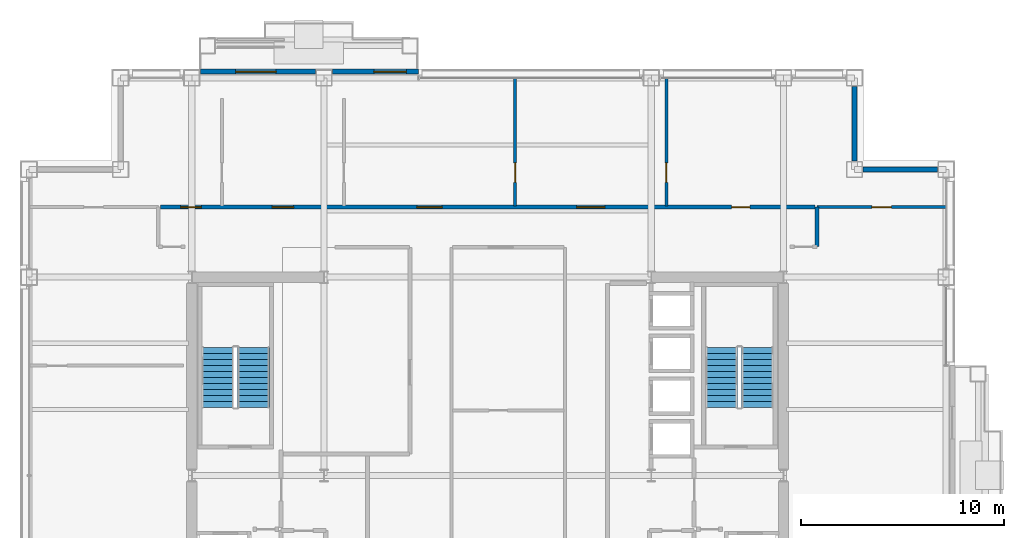
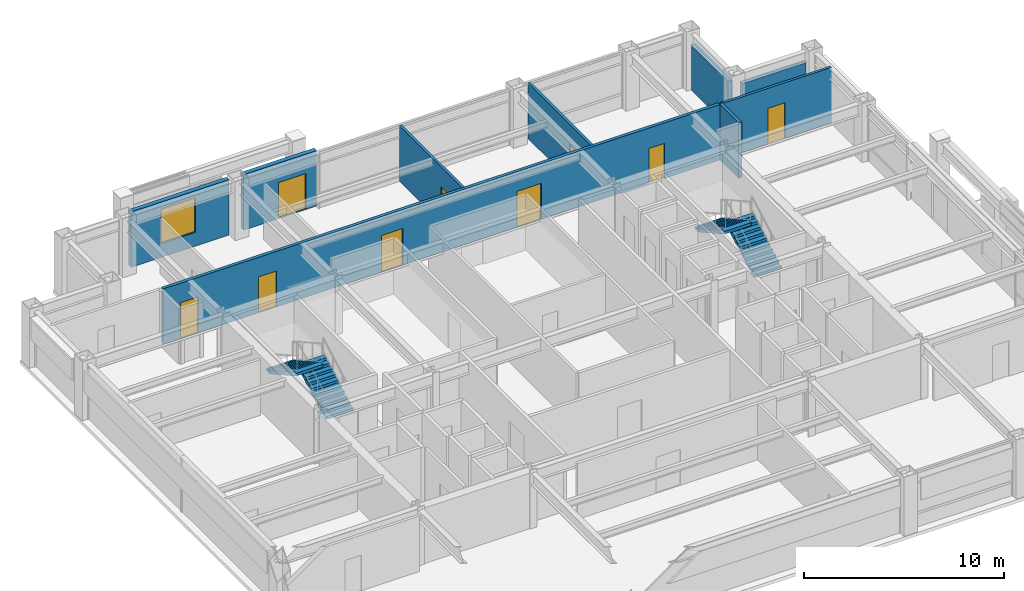
# One storey, part 27 of 29: 9 doors, 9 walls, 4 stair flights, 1 window, 10 openings, 2 elements without a shape of their own.
"""IFC4 building model written with IfcOpenShell, lengths in metres."""

from ifc_helpers import new_model, si_unit, direction, frame, frame_2d, origin, place, context, subcontext, project, spatial, polyline, rectangle, outline, extrude, material, layer, layer_set, type_object, element, fill, aggregate, save


model = new_model("IFC4")

# Units and contexts
model_context = context("Model", 3, precision=1e-05, world=origin(), true_north=direction((0.0, 1.0)))
body_context = subcontext(model_context, "Body", "Model", "MODEL_VIEW")
ifc_project = project(units=[si_unit("LENGTHUNIT", "METRE"), si_unit("AREAUNIT", "SQUARE_METRE"), si_unit("VOLUMEUNIT", "CUBIC_METRE"), si_unit("PLANEANGLEUNIT", "RADIAN"), si_unit("MASSUNIT", "GRAM", prefix="KILO")], contexts=[model_context])

# Site, building, storey
site_placement = place(None, origin())
site = spatial("IfcSite", under=ifc_project, at=site_placement, CompositionType="ELEMENT")
building_placement = place(site_placement, origin())
building = spatial("IfcBuilding", under=site, at=building_placement, Name="Brelmoor Portico Tower", CompositionType="ELEMENT")
storey_placement = place(building_placement, frame((0.0, 0.0, 138.60009765625)))
storey = spatial("IfcBuildingStorey", under=building, at=storey_placement, Name="L36", CompositionType="ELEMENT", Elevation=138.60009765625)

# Wall, opening, window
ifc_material_1 = material(Name="Precast Concrete C40 Insulated Facade Wall", Category="concrete")
ifc_layer_1 = layer(ifc_material_1, 0.25)
ifc_layer_set_1 = layer_set([ifc_layer_1], Name="Precast Concrete C40 Insulated Facade Wall")
wall_type_1 = type_object("IfcWallType", Name="WL-EXT-250", PredefinedType="STANDARD", material=ifc_layer_set_1)
wall_1_placement = place(storey_placement, frame((-14.1298828125, 19.860107421875, 0.0), z_axis=(0.0, 0.0, 1.0), x_axis=(1.0, 0.0, 0.0)))
wall_1 = element("IfcWall", 1, at=wall_1_placement, inside=storey, type_object=wall_type_1, Name="L36 Loggia Threshold Wall N-1", PredefinedType="STANDARD", context=body_context, shape_type="SweptSolid", body=[
    extrude(rectangle(XDim=5.659912109375, YDim=0.25, at=frame_2d((2.830078125, 0.0))), origin(), (0.0, 0.0, 1.0), 3.39990234375),
])
opening_1_placement = place(wall_1_placement, frame((1.72998046875, 0.0, 0.85009765625)))
opening_1 = element("IfcOpeningElement", 2, at=opening_1_placement, cuts=wall_1, Name="Opening W-03", PredefinedType="OPENING", context=body_context, shape_type="SweptSolid", body=[
    extrude(rectangle(XDim=2.0, YDim=2.10009765625, at=frame_2d((1.0, 1.050048828125))), frame((0.0, 0.135009765625, 0.0), z_axis=(0.0, -1.0, 0.0), x_axis=(1.0, 0.0, 0.0)), (0.0, 0.0, 1.0), 0.27001953125),
])
ifc_material_2 = material(Name="Thermally Broken Aluminium Low-E Window", Category="aluminium")
window_type = type_object("IfcWindowType", Name="WN-LOGGIA-2000x2100", PartitioningType="SINGLE_PANEL", PredefinedType="WINDOW", material=ifc_material_2)
window_placement = place(opening_1_placement, origin())
window = element("IfcWindow", 3, at=window_placement, inside=storey, type_object=window_type, Name="L36 Loggia Window N", OverallHeight=2.10009765625, OverallWidth=2.0, PartitioningType="SINGLE_PANEL", PredefinedType="WINDOW", context=body_context, shape_type="SweptSolid", body=[
    extrude(rectangle(XDim=2.0, YDim=2.10009765625, at=frame_2d((1.0, 1.050048828125))), frame((0.0, 0.030029296875, 0.0), z_axis=(0.0, -1.0, 0.0), x_axis=(1.0, 0.0, 0.0)), (0.0, 0.0, 1.0), 0.06005859375),
])
fill(opening_1, window)

# Wall, opening, door
wall_2_placement = place(storey_placement, frame((-7.6298828125, 19.860107421875, 0.0), z_axis=(0.0, 0.0, 1.0), x_axis=(1.0, 0.0, 0.0)))
wall_2 = element("IfcWall", 4, at=wall_2_placement, inside=storey, type_object=wall_type_1, Name="L36 Loggia Threshold Wall N-2", PredefinedType="STANDARD", context=body_context, shape_type="SweptSolid", body=[
    extrude(rectangle(XDim=4.22998046875, YDim=0.25, at=frame_2d((2.114990234375, 0.0))), origin(), (0.0, 0.0, 1.0), 3.39990234375),
])
opening_2_placement = place(wall_2_placement, frame((2.030029296875, 0.0, 0.0)))
opening_2 = element("IfcOpeningElement", 5, at=opening_2_placement, cuts=wall_2, Name="Opening D-TB1", PredefinedType="OPENING", context=body_context, shape_type="SweptSolid", body=[
    extrude(rectangle(XDim=1.60009765625, YDim=2.199951171875, at=frame_2d((0.800048828125, 1.10009765625))), frame((0.0, 0.135009765625, 0.0), z_axis=(0.0, -1.0, 0.0), x_axis=(1.0, 0.0, 0.0)), (0.0, 0.0, 1.0), 0.27001953125),
])
ifc_material_3 = material(Name="Double-Leaf Thermally Broken Terrace Door", Category="aluminium")
door_type_1 = type_object("IfcDoorType", Name="DR-BALCONY-1600", OperationType="NOTDEFINED", PredefinedType="DOOR", material=ifc_material_3)
door_1_placement = place(opening_2_placement, origin())
door_1 = element("IfcDoor", 6, at=door_1_placement, inside=storey, type_object=door_type_1, Name="D-1589 L36 Tree Balcony Double Door N", OperationType="DOUBLE_DOOR_SINGLE_SWING", OverallHeight=2.199951171875, OverallWidth=1.60009765625, PredefinedType="DOOR", context=body_context, shape_type="SweptSolid", body=[
    extrude(rectangle(XDim=1.60009765625, YDim=2.199951171875, at=frame_2d((0.800048828125, 1.10009765625))), frame((0.0, 0.02490234375, 0.0), z_axis=(0.0, -1.0, 0.0), x_axis=(1.0, 0.0, 0.0)), (0.0, 0.0, 1.0), 0.050048828125),
])
fill(opening_2, door_1)

# Walls
for number, where, z_axis, x_axis, name in (
    (7, (18.4599609375, 15.050048828125, 0.0), (0.0, 0.0, 1.0), (1.0, 0.0, 0.0), "L36 Corner Notch Facade Wall NNEH1"),
    (8, (18.050048828125, 15.4599609375, 0.0), (0.0, 0.0, 1.0), (0.0, 1.0, 0.0), "L36 Corner Notch Facade Wall NNEV1"),
):
    element("IfcWall", number, at=place(storey_placement, frame(where, z_axis=z_axis, x_axis=x_axis)), inside=storey, type_object=wall_type_1, Name=name, PredefinedType="STANDARD", context=body_context, shape_type="SweptSolid", body=[
        extrude(rectangle(XDim=3.679931640625, YDim=0.25, at=frame_2d((1.83984375, 0.0))), origin(), (0.0, 0.0, 1.0), 2.75),
    ])

# Wall, opening, door
ifc_material_4 = material(Name="Wet-Area Moisture-Resistant Partition", Category="gypsum")
ifc_layer_2 = layer(ifc_material_4, 0.14990234375)
ifc_layer_set_2 = layer_set([ifc_layer_2], Name="Wet-Area Moisture-Resistant Partition")
wall_type_2 = type_object("IfcWallType", Name="WL-PART-150", PredefinedType="PARTITIONING", material=ifc_layer_set_2)
wall_3_placement = place(storey_placement, frame((1.352783203125, 13.260009765625, 0.0), z_axis=(0.0, 0.0, 1.0), x_axis=(0.0, 1.0, 0.0)))
wall_3 = element("IfcWall", 9, at=wall_3_placement, inside=storey, type_object=wall_type_2, Name="L36 North Suite Partition 3", PredefinedType="PARTITIONING", context=body_context, shape_type="SweptSolid", body=[
    extrude(rectangle(XDim=6.300048828125, YDim=0.14990234375, at=frame_2d((3.14990234375, 0.0))), origin(), (0.0, 0.0, 1.0), 3.39990234375),
])
opening_3_placement = place(wall_3_placement, frame((1.14990234375, 0.0, 0.0)))
opening_3 = element("IfcOpeningElement", 10, at=opening_3_placement, cuts=wall_3, Name="Opening D-IN2", PredefinedType="OPENING", context=body_context, shape_type="SweptSolid", body=[
    extrude(rectangle(XDim=0.9599609375, YDim=2.179931640625, at=frame_2d((0.47998046875, 1.08984375))), frame((0.0, 0.0849609375, 0.0), z_axis=(0.0, -1.0, 0.0), x_axis=(1.0, 0.0, 0.0)), (0.0, 0.0, 1.0), 0.169921875),
])
ifc_material_5 = material(Name="Lacquered Timber Suite Door", Category="wood")
door_type_2 = type_object("IfcDoorType", Name="DR-INT-950", OperationType="NOTDEFINED", PredefinedType="DOOR", material=ifc_material_5)
door_2_placement = place(opening_3_placement, origin())
door_2 = element("IfcDoor", 11, at=door_2_placement, inside=storey, type_object=door_type_2, Name="D-1577 L36 North Suite Connecting Door 3", OperationType="SINGLE_SWING_RIGHT", OverallHeight=2.179931640625, OverallWidth=0.9599609375, PredefinedType="DOOR", context=body_context, shape_type="SweptSolid", body=[
    extrude(rectangle(XDim=0.9599609375, YDim=2.179931640625, at=frame_2d((0.47998046875, 1.08984375))), frame((0.0, 0.02490234375, 0.0), z_axis=(0.0, -1.0, 0.0), x_axis=(1.0, 0.0, 0.0)), (0.0, 0.0, 1.0), 0.050048828125),
])
fill(opening_3, door_2)

wall_4_placement = place(storey_placement, frame((8.793212890625, 13.260009765625, 0.0), z_axis=(0.0, 0.0, 1.0), x_axis=(0.0, 1.0, 0.0)))
wall_4 = element("IfcWall", 12, at=wall_4_placement, inside=storey, type_object=wall_type_2, Name="L36 North Suite Partition 4", PredefinedType="PARTITIONING", context=body_context, shape_type="SweptSolid", body=[
    extrude(rectangle(XDim=6.300048828125, YDim=0.14990234375, at=frame_2d((3.14990234375, 0.0))), origin(), (0.0, 0.0, 1.0), 3.39990234375),
])
opening_4_placement = place(wall_4_placement, frame((1.14990234375, 0.0, 0.0)))
opening_4 = element("IfcOpeningElement", 13, at=opening_4_placement, cuts=wall_4, Name="Opening D-IN2", PredefinedType="OPENING", context=body_context, shape_type="SweptSolid", body=[
    extrude(rectangle(XDim=0.9599609375, YDim=2.179931640625, at=frame_2d((0.47998046875, 1.08984375))), frame((0.0, 0.0849609375, 0.0), z_axis=(0.0, -1.0, 0.0), x_axis=(1.0, 0.0, 0.0)), (0.0, 0.0, 1.0), 0.169921875),
])
door_3_placement = place(opening_4_placement, origin())
door_3 = element("IfcDoor", 14, at=door_3_placement, inside=storey, type_object=door_type_2, Name="D-1578 L36 North Suite Connecting Door 4", OperationType="SINGLE_SWING_LEFT", OverallHeight=2.179931640625, OverallWidth=0.9599609375, PredefinedType="DOOR", context=body_context, shape_type="SweptSolid", body=[
    extrude(rectangle(XDim=0.9599609375, YDim=2.179931640625, at=frame_2d((0.47998046875, 1.08984375))), frame((0.0, 0.02490234375, 0.0), z_axis=(0.0, -1.0, 0.0), x_axis=(1.0, 0.0, 0.0)), (0.0, 0.0, 1.0), 0.050048828125),
])
fill(opening_4, door_3)

wall_5_placement = place(storey_placement, frame((16.199951171875, 13.199951171875, 0.0), z_axis=(0.0, 0.0, 1.0), x_axis=(1.0, 0.0, 0.0)))
wall_5 = element("IfcWall", 15, at=wall_5_placement, inside=storey, type_object=wall_type_2, Name="L36 North Wing Closure ER", PredefinedType="PARTITIONING", context=body_context, shape_type="SweptSolid", body=[
    extrude(rectangle(XDim=6.360107421875, YDim=0.14990234375, at=frame_2d((3.18017578125, 0.0))), origin(), (0.0, 0.0, 1.0), 3.39990234375),
])
opening_5_placement = place(wall_5_placement, frame((2.699951171875, 0.0, 0.0)))
opening_5 = element("IfcOpeningElement", 16, at=opening_5_placement, cuts=wall_5, Name="Opening D-IN2", PredefinedType="OPENING", context=body_context, shape_type="SweptSolid", body=[
    extrude(rectangle(XDim=0.9599609375, YDim=2.179931640625, at=frame_2d((0.47998046875, 1.08984375))), frame((0.0, 0.0849609375, 0.0), z_axis=(0.0, -1.0, 0.0), x_axis=(1.0, 0.0, 0.0)), (0.0, 0.0, 1.0), 0.169921875),
])
door_4_placement = place(opening_5_placement, origin())
door_4 = element("IfcDoor", 17, at=door_4_placement, inside=storey, type_object=door_type_2, Name="D-1579 L36 ER Wing North Suite Door", OperationType="SINGLE_SWING_LEFT", OverallHeight=2.179931640625, OverallWidth=0.9599609375, PredefinedType="DOOR", context=body_context, shape_type="SweptSolid", body=[
    extrude(rectangle(XDim=0.9599609375, YDim=2.179931640625, at=frame_2d((0.47998046875, 1.08984375))), frame((0.0, 0.02490234375, 0.0), z_axis=(0.0, -1.0, 0.0), x_axis=(1.0, 0.0, 0.0)), (0.0, 0.0, 1.0), 0.050048828125),
])
fill(opening_5, door_4)

# Wall, openings, doors
ifc_material_6 = material(Name="Acoustic Corridor Fire Partition", Category="gypsum")
ifc_layer_3 = layer(ifc_material_6, 0.179931640625)
ifc_layer_set_3 = layer_set([ifc_layer_3], Name="Acoustic Corridor Fire Partition")
wall_type_3 = type_object("IfcWallType", Name="WL-PART-180", PredefinedType="PARTITIONING", material=ifc_layer_set_3)
wall_6_placement = place(storey_placement, frame((-16.10009765625, 13.199951171875, 0.0), z_axis=(0.0, 0.0, 1.0), x_axis=(1.0, 0.0, 0.0)))
wall_6 = element("IfcWall", 18, at=wall_6_placement, inside=storey, type_object=wall_type_3, Name="L36 North Corridor Partition", PredefinedType="PARTITIONING", context=body_context, shape_type="SweptSolid", body=[
    extrude(rectangle(XDim=32.2001953125, YDim=0.179931640625, at=frame_2d((16.10009765625, 0.0))), origin(), (0.0, 0.0, 1.0), 3.39990234375),
])
opening_6_placement = place(wall_6_placement, frame((1.0048828125, 0.0, 0.0)))
opening_6 = element("IfcOpeningElement", 19, at=opening_6_placement, cuts=wall_6, Name="Opening D-OF1", PredefinedType="OPENING", context=body_context, shape_type="SweptSolid", body=[
    extrude(rectangle(XDim=1.02001953125, YDim=2.199951171875, at=frame_2d((0.510009765625, 1.10009765625))), frame((0.0, 0.099853515625, 0.0), z_axis=(0.0, -1.0, 0.0), x_axis=(1.0, 0.0, 0.0)), (0.0, 0.0, 1.0), 0.199951171875),
])
opening_7_placement = place(wall_6_placement, frame((5.5, 0.0, 0.0)))
opening_7 = element("IfcOpeningElement", 20, at=opening_7_placement, cuts=wall_6, Name="Opening D-OF2", PredefinedType="OPENING", context=body_context, shape_type="SweptSolid", body=[
    extrude(rectangle(XDim=1.06005859375, YDim=2.199951171875, at=frame_2d((0.530029296875, 1.10009765625))), frame((0.0, 0.099853515625, 0.0), z_axis=(0.0, -1.0, 0.0), x_axis=(1.0, 0.0, 0.0)), (0.0, 0.0, 1.0), 0.199951171875),
])
opening_8_placement = place(wall_6_placement, frame((12.621337890625, 0.0, 0.0)))
opening_8 = element("IfcOpeningElement", 21, at=opening_8_placement, cuts=wall_6, Name="Opening D-SU1", PredefinedType="OPENING", context=body_context, shape_type="SweptSolid", body=[
    extrude(rectangle(XDim=1.239990234375, YDim=2.239990234375, at=frame_2d((0.6201171875, 1.1201171875))), frame((0.0, 0.099853515625, 0.0), z_axis=(0.0, -1.0, 0.0), x_axis=(1.0, 0.0, 0.0)), (0.0, 0.0, 1.0), 0.199951171875),
])
opening_9_placement = place(wall_6_placement, frame((20.472900390625, 0.0, 0.0)))
opening_9 = element("IfcOpeningElement", 22, at=opening_9_placement, cuts=wall_6, Name="Opening D-SU2", PredefinedType="OPENING", context=body_context, shape_type="SweptSolid", body=[
    extrude(rectangle(XDim=1.39990234375, YDim=2.199951171875, at=frame_2d((0.699951171875, 1.10009765625))), frame((0.0, 0.099853515625, 0.0), z_axis=(0.0, -1.0, 0.0), x_axis=(1.0, 0.0, 0.0)), (0.0, 0.0, 1.0), 0.199951171875),
])
opening_10_placement = place(wall_6_placement, frame((28.0966796875, 0.0, 0.0)))
opening_10 = element("IfcOpeningElement", 23, at=opening_10_placement, cuts=wall_6, Name="Opening D-IN1", PredefinedType="OPENING", context=body_context, shape_type="SweptSolid", body=[
    extrude(rectangle(XDim=0.89990234375, YDim=2.14990234375, at=frame_2d((0.449951171875, 1.074951171875))), frame((0.0, 0.099853515625, 0.0), z_axis=(0.0, -1.0, 0.0), x_axis=(1.0, 0.0, 0.0)), (0.0, 0.0, 1.0), 0.199951171875),
])
door_type_3 = type_object("IfcDoorType", Name="DR-INT-900", OperationType="NOTDEFINED", PredefinedType="DOOR", material=ifc_material_5)
door_5_placement = place(opening_10_placement, origin())
door_5 = element("IfcDoor", 24, at=door_5_placement, inside=storey, type_object=door_type_3, Name="D-1574 L36 North Project Mail Room 5 Door", OperationType="SINGLE_SWING_LEFT", OverallHeight=2.14990234375, OverallWidth=0.89990234375, PredefinedType="DOOR", context=body_context, shape_type="SweptSolid", body=[
    extrude(rectangle(XDim=0.89990234375, YDim=2.14990234375, at=frame_2d((0.449951171875, 1.074951171875))), frame((0.0, 0.02490234375, 0.0), z_axis=(0.0, -1.0, 0.0), x_axis=(1.0, 0.0, 0.0)), (0.0, 0.0, 1.0), 0.050048828125),
])
fill(opening_10, door_5)
ifc_material_7 = material(Name="Hardwood Acoustic Veneer Door", Category="wood")
door_type_4 = type_object("IfcDoorType", Name="DR-OFFICE-1000", OperationType="NOTDEFINED", PredefinedType="DOOR", material=ifc_material_7)
door_6_placement = place(opening_6_placement, origin())
door_6 = element("IfcDoor", 25, at=door_6_placement, inside=storey, type_object=door_type_4, Name="D-1570 L36 North Open-Plan Office 1 Door", OperationType="SINGLE_SWING_RIGHT", OverallHeight=2.199951171875, OverallWidth=1.02001953125, PredefinedType="DOOR", context=body_context, shape_type="SweptSolid", body=[
    extrude(rectangle(XDim=1.02001953125, YDim=2.199951171875, at=frame_2d((0.510009765625, 1.10009765625))), frame((0.0, 0.02490234375, 0.0), z_axis=(0.0, -1.0, 0.0), x_axis=(1.0, 0.0, 0.0)), (0.0, 0.0, 1.0), 0.050048828125),
])
fill(opening_6, door_6)
door_type_5 = type_object("IfcDoorType", Name="DR-OFFICE-1050", OperationType="NOTDEFINED", PredefinedType="DOOR", material=ifc_material_7)
door_7_placement = place(opening_7_placement, origin())
door_7 = element("IfcDoor", 26, at=door_7_placement, inside=storey, type_object=door_type_5, Name="D-1571 L36 North Partner Office 2 Door", OperationType="SINGLE_SWING_LEFT", OverallHeight=2.199951171875, OverallWidth=1.06005859375, PredefinedType="DOOR", context=body_context, shape_type="SweptSolid", body=[
    extrude(rectangle(XDim=1.06005859375, YDim=2.199951171875, at=frame_2d((0.530029296875, 1.10009765625))), frame((0.0, 0.02490234375, 0.0), z_axis=(0.0, -1.0, 0.0), x_axis=(1.0, 0.0, 0.0)), (0.0, 0.0, 1.0), 0.050048828125),
])
fill(opening_7, door_7)
ifc_material_8 = material(Name="Glazed Timber Executive Suite Door", Category="wood")
door_type_6 = type_object("IfcDoorType", Name="DR-SUITE-1200", OperationType="NOTDEFINED", PredefinedType="DOOR", material=ifc_material_8)
door_8_placement = place(opening_8_placement, origin())
door_8 = element("IfcDoor", 27, at=door_8_placement, inside=storey, type_object=door_type_6, Name="D-1572 L36 North Cellular Office 3 Door", OperationType="SINGLE_SWING_RIGHT", OverallHeight=2.239990234375, OverallWidth=1.239990234375, PredefinedType="DOOR", context=body_context, shape_type="SweptSolid", body=[
    extrude(rectangle(XDim=1.239990234375, YDim=2.239990234375, at=frame_2d((0.6201171875, 1.1201171875))), frame((0.0, 0.02490234375, 0.0), z_axis=(0.0, -1.0, 0.0), x_axis=(1.0, 0.0, 0.0)), (0.0, 0.0, 1.0), 0.050048828125),
])
fill(opening_8, door_8)
ifc_material_9 = material(Name="Double-Leaf Acoustic Suite Door", Category="timber")
door_type_7 = type_object("IfcDoorType", Name="DR-SUITE-1400", OperationType="NOTDEFINED", PredefinedType="DOOR", material=ifc_material_9)
door_9_placement = place(opening_9_placement, origin())
door_9 = element("IfcDoor", 28, at=door_9_placement, inside=storey, type_object=door_type_7, Name="D-1573 L36 North First-Aid Consultation 4 Door", OperationType="DOUBLE_DOOR_SINGLE_SWING", OverallHeight=2.199951171875, OverallWidth=1.39990234375, PredefinedType="DOOR", context=body_context, shape_type="SweptSolid", body=[
    extrude(rectangle(XDim=1.39990234375, YDim=2.199951171875, at=frame_2d((0.699951171875, 1.10009765625))), frame((0.0, 0.02490234375, 0.0), z_axis=(0.0, -1.0, 0.0), x_axis=(1.0, 0.0, 0.0)), (0.0, 0.0, 1.0), 0.050048828125),
])
fill(opening_9, door_9)

# Wall
wall_7_placement = place(storey_placement, frame((16.199951171875, 11.25, 0.0), z_axis=(0.0, 0.0, 1.0), x_axis=(0.0, 1.0, 0.0)))
element("IfcWall", 29, at=wall_7_placement, inside=storey, type_object=wall_type_3, Name="L36 E Corridor End Closure", PredefinedType="PARTITIONING", context=body_context, shape_type="SweptSolid", body=[
    extrude(rectangle(XDim=1.949951171875, YDim=0.179931640625, at=frame_2d((0.97509765625, 0.0))), origin(), (0.0, 0.0, 1.0), 3.39990234375),
])

# Stair, stair flights
ifc_material_10 = material(Name="Concrete C40", Category="concrete")
stair_type_1 = type_object("IfcStairType", Name="ST-CORE-W", PredefinedType="HALF_TURN_STAIR", material=ifc_material_10)
stair_1_placement = place(storey_placement, origin())
stair_1 = element("IfcStair", 30, at=stair_1_placement, inside=storey, type_object=stair_type_1, Name="L36 Protected Core Exit Stair ST-W", PredefinedType="HALF_TURN_STAIR")
stair_flight_type = type_object("IfcStairFlightType", Name="SF-CORE-1850", PredefinedType="STRAIGHT", material=ifc_material_10)
stair_flight_1_placement = place(storey_placement, frame((-11.510009765625, 3.35009765625, 0.0), z_axis=(0.0, 0.0, 1.0), x_axis=(0.0, 1.0, 0.0)))
stair_flight_1 = element("IfcStairFlight", 31, at=stair_flight_1_placement, type_object=stair_flight_type, Name="ST-W flight 1", NumberOfRisers=11, NumberOfTreads=10, PredefinedType="STRAIGHT", RiserHeight=0.163636364, TreadLength=0.295, context=body_context, shape_type="SweptSolid", body=[
    extrude(outline(polyline([(0.0, 0.0), (0.0, 0.16357421875), (0.294921875, 0.16357421875), (0.294921875, 0.327392578125), (0.590087890625, 0.327392578125), (0.590087890625, 0.490966796875), (0.885009765625, 0.490966796875), (0.885009765625, 0.654541015625), (1.179931640625, 0.654541015625), (1.179931640625, 0.818115234375), (1.47509765625, 0.818115234375), (1.47509765625, 0.98193359375), (1.77001953125, 0.98193359375), (1.77001953125, 1.1455078125), (2.06494140625, 1.1455078125), (2.06494140625, 1.30908203125), (2.360107421875, 1.30908203125), (2.360107421875, 1.47265625), (2.655029296875, 1.47265625), (2.655029296875, 1.636474609375), (2.949951171875, 1.636474609375), (2.949951171875, 1.800048828125), (2.949951171875, 1.46484375), (0.30908203125, 0.0), (0.0, 0.0)])), frame((0.0, 0.780029296875, 0.0), z_axis=(0.0, -1.0, 0.0), x_axis=(1.0, 0.0, 0.0)), (0.0, 0.0, 1.0), 1.56005859375),
])
stair_flight_2_placement = place(storey_placement, frame((-13.27001953125, 6.300048828125, 1.7998046875), z_axis=(0.0, 0.0, 1.0), x_axis=(0.0, -1.0, 0.0)))
stair_flight_2 = element("IfcStairFlight", 32, at=stair_flight_2_placement, type_object=stair_flight_type, Name="ST-W flight 2", NumberOfRisers=11, NumberOfTreads=10, PredefinedType="STRAIGHT", RiserHeight=0.163636364, TreadLength=0.295, context=body_context, shape_type="SweptSolid", body=[
    extrude(outline(polyline([(0.0, 0.0), (0.0, 0.16357421875), (0.294921875, 0.16357421875), (0.294921875, 0.327392578125), (0.590087890625, 0.327392578125), (0.590087890625, 0.490966796875), (0.885009765625, 0.490966796875), (0.885009765625, 0.654541015625), (1.179931640625, 0.654541015625), (1.179931640625, 0.818115234375), (1.47509765625, 0.818115234375), (1.47509765625, 0.98193359375), (1.77001953125, 0.98193359375), (1.77001953125, 1.1455078125), (2.06494140625, 1.1455078125), (2.06494140625, 1.30908203125), (2.360107421875, 1.30908203125), (2.360107421875, 1.47265625), (2.655029296875, 1.47265625), (2.655029296875, 1.636474609375), (2.949951171875, 1.636474609375), (2.949951171875, 1.800048828125), (2.949951171875, 1.46484375), (0.30908203125, 0.0), (0.0, 0.0)])), frame((0.0, 0.780029296875, 0.0), z_axis=(0.0, -1.0, 0.0), x_axis=(1.0, 0.0, 0.0)), (0.0, 0.0, 1.0), 1.56005859375),
])
aggregate(stair_1, [stair_flight_1, stair_flight_2])

stair_type_2 = type_object("IfcStairType", Name="ST-CORE-E", PredefinedType="HALF_TURN_STAIR", material=ifc_material_10)
stair_2_placement = place(storey_placement, origin())
stair_2 = element("IfcStair", 33, at=stair_2_placement, inside=storey, type_object=stair_type_2, Name="L36 Protected Core Exit Stair ST-E", PredefinedType="HALF_TURN_STAIR")
stair_flight_3_placement = place(storey_placement, frame((13.27001953125, 3.35009765625, 0.0), z_axis=(0.0, 0.0, 1.0), x_axis=(0.0, 1.0, 0.0)))
stair_flight_3 = element("IfcStairFlight", 34, at=stair_flight_3_placement, type_object=stair_flight_type, Name="ST-E flight 1", NumberOfRisers=11, NumberOfTreads=10, PredefinedType="STRAIGHT", RiserHeight=0.163636364, TreadLength=0.295, context=body_context, shape_type="SweptSolid", body=[
    extrude(outline(polyline([(0.0, 0.0), (0.0, 0.16357421875), (0.294921875, 0.16357421875), (0.294921875, 0.327392578125), (0.590087890625, 0.327392578125), (0.590087890625, 0.490966796875), (0.885009765625, 0.490966796875), (0.885009765625, 0.654541015625), (1.179931640625, 0.654541015625), (1.179931640625, 0.818115234375), (1.47509765625, 0.818115234375), (1.47509765625, 0.98193359375), (1.77001953125, 0.98193359375), (1.77001953125, 1.1455078125), (2.06494140625, 1.1455078125), (2.06494140625, 1.30908203125), (2.360107421875, 1.30908203125), (2.360107421875, 1.47265625), (2.655029296875, 1.47265625), (2.655029296875, 1.636474609375), (2.949951171875, 1.636474609375), (2.949951171875, 1.800048828125), (2.949951171875, 1.46484375), (0.30908203125, 0.0), (0.0, 0.0)])), frame((0.0, 0.780029296875, 0.0), z_axis=(0.0, -1.0, 0.0), x_axis=(1.0, 0.0, 0.0)), (0.0, 0.0, 1.0), 1.56005859375),
])
stair_flight_4_placement = place(storey_placement, frame((11.510009765625, 6.300048828125, 1.7998046875), z_axis=(0.0, 0.0, 1.0), x_axis=(0.0, -1.0, 0.0)))
stair_flight_4 = element("IfcStairFlight", 35, at=stair_flight_4_placement, type_object=stair_flight_type, Name="ST-E flight 2", NumberOfRisers=11, NumberOfTreads=10, PredefinedType="STRAIGHT", RiserHeight=0.163636364, TreadLength=0.295, context=body_context, shape_type="SweptSolid", body=[
    extrude(outline(polyline([(0.0, 0.0), (0.0, 0.16357421875), (0.294921875, 0.16357421875), (0.294921875, 0.327392578125), (0.590087890625, 0.327392578125), (0.590087890625, 0.490966796875), (0.885009765625, 0.490966796875), (0.885009765625, 0.654541015625), (1.179931640625, 0.654541015625), (1.179931640625, 0.818115234375), (1.47509765625, 0.818115234375), (1.47509765625, 0.98193359375), (1.77001953125, 0.98193359375), (1.77001953125, 1.1455078125), (2.06494140625, 1.1455078125), (2.06494140625, 1.30908203125), (2.360107421875, 1.30908203125), (2.360107421875, 1.47265625), (2.655029296875, 1.47265625), (2.655029296875, 1.636474609375), (2.949951171875, 1.636474609375), (2.949951171875, 1.800048828125), (2.949951171875, 1.46484375), (0.30908203125, 0.0), (0.0, 0.0)])), frame((0.0, 0.780029296875, 0.0), z_axis=(0.0, -1.0, 0.0), x_axis=(1.0, 0.0, 0.0)), (0.0, 0.0, 1.0), 1.56005859375),
])
aggregate(stair_2, [stair_flight_3, stair_flight_4])

save(model, "model.ifc")
